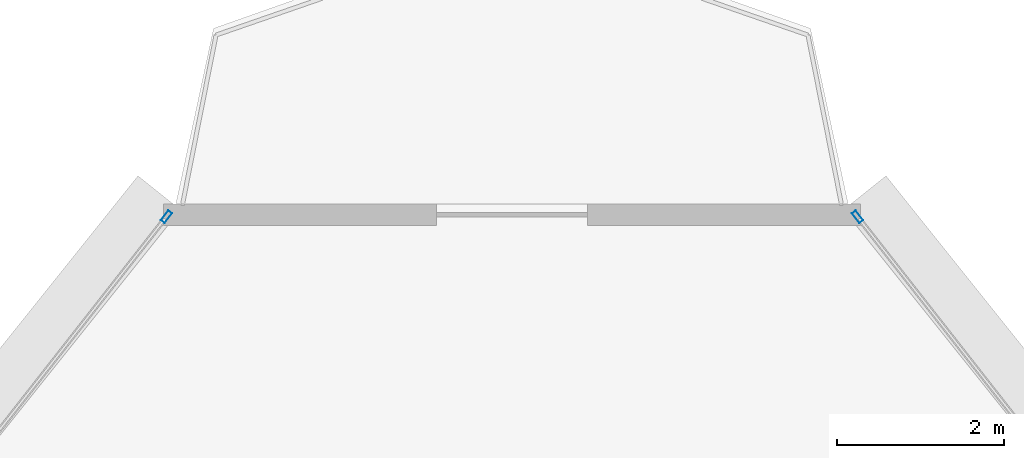
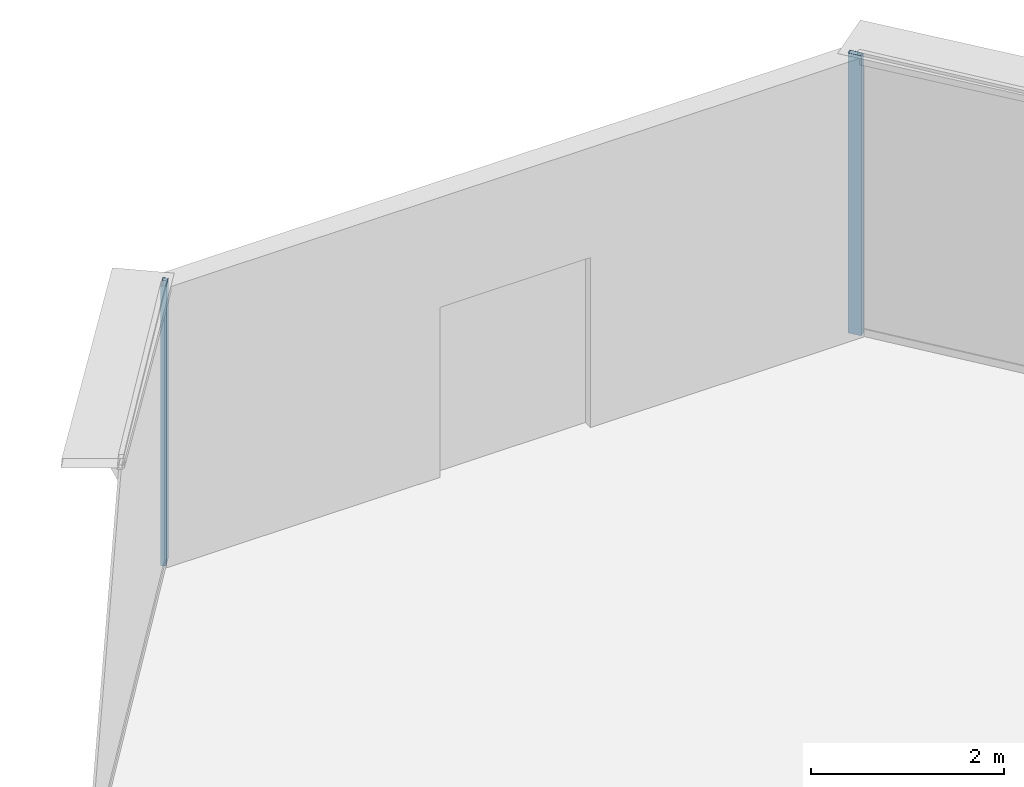
# One storey, part 26 of 36: 2 members, 2 elements without a shape of their own.
"""IFC4 building model written with IfcOpenShell, lengths in metres."""

from ifc_helpers import new_model, si_unit, direction, frame, origin, origin_2d, place, context, subcontext, project, spatial, hollow_rectangle, extrude, source, transform, mapped, material, layer, layer_set, material_profile, profile_set, type_object, element, aggregate, save


model = new_model("IFC4")

# Units and contexts
model_context = context("Model", 3, precision=1e-05, world=origin(), true_north=direction((0.0, 1.0)))
body_context = subcontext(model_context, "Body", "Model", "MODEL_VIEW")
ifc_project = project(units=[si_unit("LENGTHUNIT", "METRE"), si_unit("AREAUNIT", "SQUARE_METRE"), si_unit("VOLUMEUNIT", "CUBIC_METRE"), si_unit("PLANEANGLEUNIT", "RADIAN"), si_unit("MASSUNIT", "GRAM", prefix="KILO"), si_unit("THERMODYNAMICTEMPERATUREUNIT", "KELVIN"), si_unit("POWERUNIT", "WATT")], contexts=[model_context])

# Site, building, storey
site_placement = place(None, origin())
site = spatial("IfcSite", under=ifc_project, at=site_placement, CompositionType="ELEMENT")
building_placement = place(site_placement, origin())
building = spatial("IfcBuilding", under=site, at=building_placement, Name="Yunzhuo Pagoda Commons", CompositionType="ELEMENT")
storey_placement = place(building_placement, frame((0.0, 0.0, 211.360107421875)))
storey = spatial("IfcBuildingStorey", under=building, at=storey_placement, Name="L53", CompositionType="ELEMENT", Elevation=211.360107421875)

# Curtain wall, member
ifc_material = material(Name="Anodized aluminium 6063-T6", Category="aluminium")
ifc_layer = layer(ifc_material, 0.14990234375)
ifc_layer_set = layer_set([ifc_layer], Name="Anodized aluminium 6063-T6")
curtain_wall_type = type_object("IfcCurtainWallType", Name="CW-MID Mid-Zone Ribbon Curtain Wall", PredefinedType="NOTDEFINED", material=ifc_layer_set)
curtain_wall_1_placement = place(storey_placement, origin())
curtain_wall_1 = element("IfcCurtainWall", 1, at=curtain_wall_1_placement, inside=storey, type_object=curtain_wall_type, Name="L53 curtain wall CW-L53-F2B5", PredefinedType="NOTDEFINED")
ifc_material_profile = material_profile(ifc_material, hollow_rectangle(XDim=0.06005859375, YDim=0.14990234375, WallThickness=0.00390625, at=origin_2d()), Name="Anodized aluminium 6063-T6")
ifc_profile_set = profile_set([ifc_material_profile], Name="Anodized aluminium 6063-T6")
member_type = type_object("IfcMemberType", Name="CW-MID-M Mullion RHS 150x60x4", PredefinedType="MULLION", material=ifc_profile_set)
shared_shape = source(origin(), body_context, "Body", "SweptSolid", [
    extrude(hollow_rectangle(XDim=0.06005859375, YDim=0.14990234375, WallThickness=0.00390625, at=origin_2d()), origin(), (0.0, 0.0, 1.0), 3.539794921875),
])
member_1_placement = place(storey_placement, frame((52.133056640625, 82.31298828125, 0.0), z_axis=(0.0, 0.0, 1.0), x_axis=(-0.78725022787, -0.616633666547, 0.0)))
member_1 = element("IfcMember", 2, at=member_1_placement, type_object=member_type, Name="CW mullion 2", PredefinedType="MULLION", context=body_context, shape_type="MappedRepresentation", body=[
    mapped(shared_shape, transform((0.0, 0.0, 0.0), scale=1.0)),
])
aggregate(curtain_wall_1, [member_1])

curtain_wall_2_placement = place(storey_placement, origin())
curtain_wall_2 = element("IfcCurtainWall", 3, at=curtain_wall_2_placement, inside=storey, type_object=curtain_wall_type, Name="L53 curtain wall CW-L53-F3B1", PredefinedType="NOTDEFINED")
member_2_placement = place(storey_placement, frame((43.866943359375, 82.31298828125, 0.0), z_axis=(0.0, 0.0, 1.0), x_axis=(0.78725022787, -0.616633666547, 0.0)))
member_2 = element("IfcMember", 4, at=member_2_placement, type_object=member_type, Name="CW mullion 1", PredefinedType="MULLION", context=body_context, shape_type="MappedRepresentation", body=[
    mapped(shared_shape, transform((0.0, 0.0, 0.0), scale=1.0)),
])
aggregate(curtain_wall_2, [member_2])

save(model, "model.ifc")
